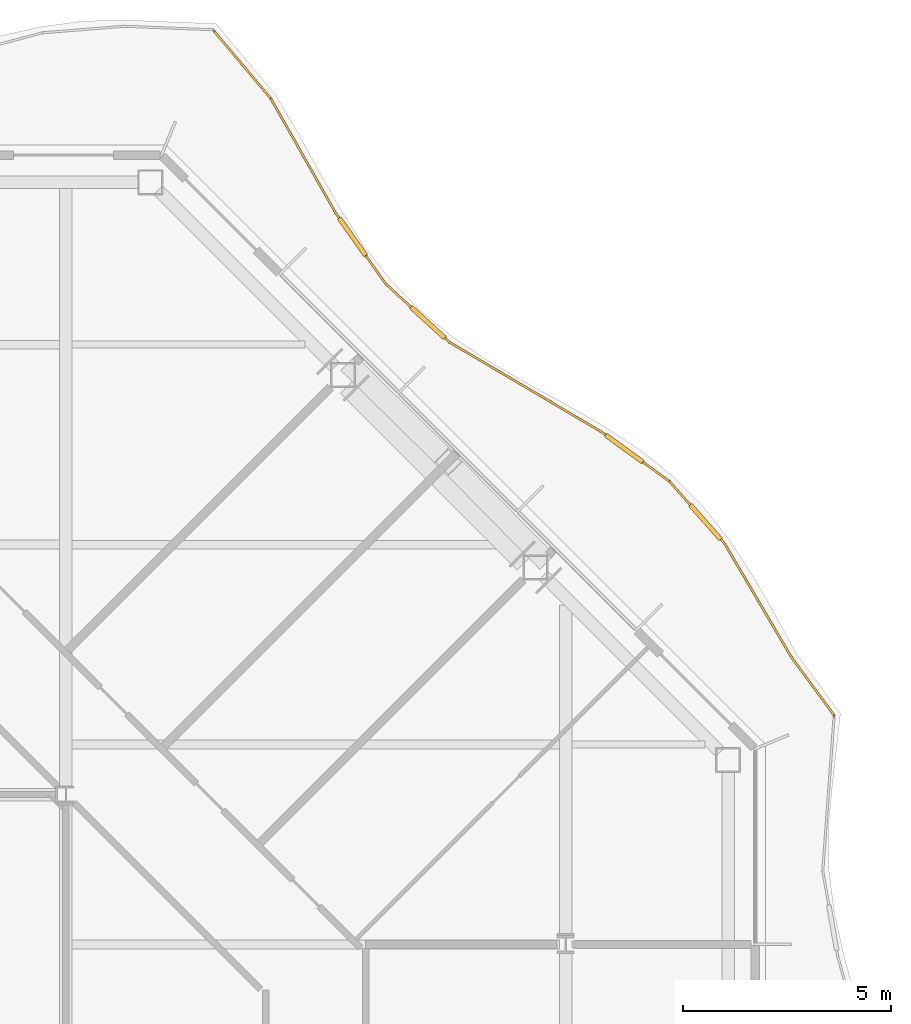
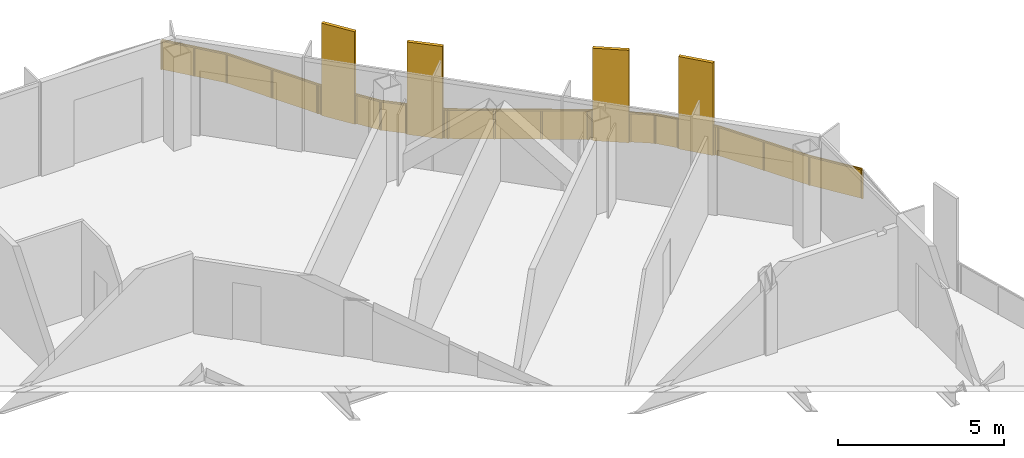
# One storey, part 21 of 21: 1 railing.
"""IFC4 building model written with IfcOpenShell, lengths in metres."""

from ifc_helpers import new_model, si_unit, direction, frame, origin, origin_2d, place, context, subcontext, project, spatial, polyline, rectangle, outline, extrude, material, type_object, element, save


model = new_model("IFC4")

# Units and contexts
model_context = context("Model", 3, precision=1e-05, world=origin(), true_north=direction((0.0, 1.0)))
body_context = subcontext(model_context, "Body", "Model", "MODEL_VIEW")
ifc_project = project(units=[si_unit("LENGTHUNIT", "METRE"), si_unit("AREAUNIT", "SQUARE_METRE"), si_unit("VOLUMEUNIT", "CUBIC_METRE"), si_unit("PLANEANGLEUNIT", "RADIAN"), si_unit("MASSUNIT", "GRAM", prefix="KILO")], contexts=[model_context])

# Site, building, storey
site_placement = place(None, origin())
site = spatial("IfcSite", under=ifc_project, at=site_placement, CompositionType="ELEMENT")
building_placement = place(site_placement, origin())
building = spatial("IfcBuilding", under=site, at=building_placement, Name="Cairn Pilgrim Tower", CompositionType="ELEMENT")
storey_placement = place(building_placement, frame((0.0, 0.0, 150.60009765625)))
storey = spatial("IfcBuildingStorey", under=building, at=storey_placement, Name="L37", CompositionType="ELEMENT", Elevation=150.60009765625)

# Railing
ifc_material = material(Name="Bronze anodised aluminium rail, posts and fin screens with laminated glass infill", Category="aluminium")
railing_type = type_object("IfcRailingType", Name="BALCONY GUARD WITH FIN SCREENS", PredefinedType="GUARDRAIL", material=ifc_material)
railing_placement = place(storey_placement, frame((37.647216796875, 15.1015625, 0.0)))
element("IfcRailing", 1, at=railing_placement, inside=storey, type_object=railing_type, Name="Balcony guard BGF-4 with fin screens", PredefinedType="GUARDRAIL", context=body_context, shape_type="SweptSolid", body=[
    extrude(rectangle(XDim=0.050048828125, YDim=0.050048828125, at=origin_2d()), frame((0.0, 0.0, 1.0751953125), z_axis=(-0.592326047596, 0.805698363744, 0.0), x_axis=(-0.805698363744, -0.592326047596, 0.0)), (0.0, 0.0, 1.0), 1.73681640625),
    extrude(rectangle(XDim=0.050048828125, YDim=0.050048828125, at=origin_2d()), frame((-1.02880859375, 1.3994140625, 1.0751953125), z_axis=(-0.506688076753, 0.862129452505, 0.0), x_axis=(-0.862129452505, -0.506688076753, 0.0)), (0.0, 0.0, 1.0), 3.149169921875),
    extrude(rectangle(XDim=1.10009765625, YDim=0.110107421875, at=origin_2d()), frame((-3.088623046875, 4.638427734375, 0.0), z_axis=(0.0, 0.0, 1.0), x_axis=(-0.662914624053, 0.748694998793, 0.0)), (0.0, 0.0, 1.0), 3.39990234375),
    extrude(rectangle(XDim=0.050048828125, YDim=0.050048828125, at=origin_2d()), frame((-2.62451171875, 4.114501953125, 1.0751953125), z_axis=(-0.662914624053, 0.748694998793, 0.0), x_axis=(-0.748694998793, -0.662914624053, 0.0)), (0.0, 0.0, 1.0), 0.14990234375),
    extrude(rectangle(XDim=0.050048828125, YDim=0.050048828125, at=origin_2d()), frame((-3.453125, 5.05029296875, 1.0751953125), z_axis=(-0.662914624053, 0.748694998793, 0.0), x_axis=(-0.748694998793, -0.662914624053, 0.0)), (0.0, 0.0, 1.0), 0.759521484375),
    extrude(rectangle(XDim=1.10009765625, YDim=0.110107421875, at=origin_2d()), frame((-5.039306640625, 6.4052734375, 0.0), z_axis=(0.0, 0.0, 1.0), x_axis=(-0.80911921109, 0.587644537322, 0.0)), (0.0, 0.0, 1.0), 3.39990234375),
    extrude(rectangle(XDim=0.050048828125, YDim=0.050048828125, at=origin_2d()), frame((-3.95654296875, 5.618896484375, 1.0751953125), z_axis=(-0.80911921109, 0.587644537322, 0.0), x_axis=(-0.587644537322, -0.80911921109, 0.0)), (0.0, 0.0, 1.0), 0.7880859375),
    extrude(rectangle(XDim=0.050048828125, YDim=0.050048828125, at=origin_2d()), frame((-5.484375, 6.728515625, 1.0751953125), z_axis=(-0.80911921109, 0.587644537322, 0.0), x_axis=(-0.587644537322, -0.80911921109, 0.0)), (0.0, 0.0, 1.0), 0.150146484375),
    extrude(rectangle(XDim=0.050048828125, YDim=0.050048828125, at=origin_2d()), frame((-5.605712890625, 6.816650390625, 1.0751953125), z_axis=(-0.861367852969, 0.507981714111, 0.0), x_axis=(-0.507981714111, -0.861367852969, 0.0)), (0.0, 0.0, 1.0), 4.21484375),
    extrude(rectangle(XDim=1.10009765625, YDim=0.110107421875, at=origin_2d()), frame((-9.7529296875, 9.43017578125, 0.0), z_axis=(0.0, 0.0, 1.0), x_axis=(-0.737946592487, 0.67485911614, 0.0)), (0.0, 0.0, 1.0), 3.39990234375),
    extrude(rectangle(XDim=0.050048828125, YDim=0.050048828125, at=origin_2d()), frame((-9.236328125, 8.957763671875, 1.0751953125), z_axis=(-0.737946592487, 0.67485911614, 0.0), x_axis=(-0.67485911614, -0.737946592487, 0.0)), (0.0, 0.0, 1.0), 0.14990234375),
    extrude(rectangle(XDim=0.050048828125, YDim=0.050048828125, at=origin_2d()), frame((-10.15869140625, 9.80126953125, 1.0751953125), z_axis=(-0.737946592487, 0.67485911614, 0.0), x_axis=(-0.67485911614, -0.737946592487, 0.0)), (0.0, 0.0, 1.0), 0.820556640625),
    extrude(rectangle(XDim=1.10009765625, YDim=0.110107421875, at=origin_2d()), frame((-11.56591796875, 11.490234375, 0.0), z_axis=(0.0, 0.0, 1.0), x_axis=(-0.576953758007, 0.816776812307, 0.0)), (0.0, 0.0, 1.0), 3.39990234375),
    extrude(rectangle(XDim=0.050048828125, YDim=0.050048828125, at=origin_2d()), frame((-10.76416015625, 10.35498046875, 1.0751953125), z_axis=(-0.576953758007, 0.816776812307, 0.0), x_axis=(-0.816776812307, -0.576953758007, 0.0)), (0.0, 0.0, 1.0), 0.83984375),
    extrude(rectangle(XDim=0.050048828125, YDim=0.050048828125, at=origin_2d()), frame((-11.88330078125, 11.939453125, 1.0751953125), z_axis=(-0.576953758007, 0.816776812307, 0.0), x_axis=(-0.816776812307, -0.576953758007, 0.0)), (0.0, 0.0, 1.0), 0.150146484375),
    extrude(rectangle(XDim=0.050048828125, YDim=0.050048828125, at=origin_2d()), frame((-11.969970703125, 12.06201171875, 1.0751953125), z_axis=(-0.493168372779, 0.869933880298, 0.0), x_axis=(-0.869933880298, -0.493168372779, 0.0)), (0.0, 0.0, 1.0), 3.162841796875),
    extrude(rectangle(XDim=0.050048828125, YDim=0.050048828125, at=origin_2d()), frame((-13.52978515625, 14.8134765625, 1.0751953125), z_axis=(-0.643725819825, 0.765256211272, 0.0), x_axis=(-0.765256211272, -0.643725819825, 0.0)), (0.0, 0.0, 1.0), 2.09130859375),
    extrude(rectangle(XDim=0.050048828125, YDim=0.050048828125, at=origin_2d()), origin(), (0.0, 0.0, 1.0), 1.050048828125),
    extrude(rectangle(XDim=0.050048828125, YDim=0.050048828125, at=origin_2d()), frame((-1.02880859375, 1.3994140625, 0.0)), (0.0, 0.0, 1.0), 1.050048828125),
    extrude(rectangle(XDim=0.050048828125, YDim=0.050048828125, at=origin_2d()), frame((-1.82666015625, 2.7568359375, 0.0)), (0.0, 0.0, 1.0), 1.050048828125),
    extrude(rectangle(XDim=0.050048828125, YDim=0.050048828125, at=origin_2d()), frame((-2.62451171875, 4.114501953125, 0.0)), (0.0, 0.0, 1.0), 1.050048828125),
    extrude(rectangle(XDim=0.050048828125, YDim=0.050048828125, at=origin_2d()), frame((-2.707275390625, 4.2080078125, 0.0)), (0.0, 0.0, 1.0), 1.050048828125),
    extrude(rectangle(XDim=0.050048828125, YDim=0.050048828125, at=origin_2d()), frame((-3.4697265625, 5.069091796875, 0.0)), (0.0, 0.0, 1.0), 1.050048828125),
    extrude(rectangle(XDim=0.050048828125, YDim=0.050048828125, at=origin_2d()), frame((-3.95654296875, 5.618896484375, 0.0)), (0.0, 0.0, 1.0), 1.050048828125),
    extrude(rectangle(XDim=0.050048828125, YDim=0.050048828125, at=origin_2d()), frame((-4.573974609375, 6.0673828125, 0.0)), (0.0, 0.0, 1.0), 1.050048828125),
    extrude(rectangle(XDim=0.050048828125, YDim=0.050048828125, at=origin_2d()), frame((-5.504638671875, 6.7431640625, 0.0)), (0.0, 0.0, 1.0), 1.050048828125),
    extrude(rectangle(XDim=0.050048828125, YDim=0.050048828125, at=origin_2d()), frame((-5.605712890625, 6.816650390625, 0.0)), (0.0, 0.0, 1.0), 1.050048828125),
    extrude(rectangle(XDim=0.050048828125, YDim=0.050048828125, at=origin_2d()), frame((-6.81591796875, 7.5302734375, 0.0)), (0.0, 0.0, 1.0), 1.050048828125),
    extrude(rectangle(XDim=0.050048828125, YDim=0.050048828125, at=origin_2d()), frame((-8.026123046875, 8.244140625, 0.0)), (0.0, 0.0, 1.0), 1.050048828125),
    extrude(rectangle(XDim=0.050048828125, YDim=0.050048828125, at=origin_2d()), frame((-9.236328125, 8.957763671875, 0.0)), (0.0, 0.0, 1.0), 1.050048828125),
    extrude(rectangle(XDim=0.050048828125, YDim=0.050048828125, at=origin_2d()), frame((-9.328369140625, 9.0419921875, 0.0)), (0.0, 0.0, 1.0), 1.050048828125),
    extrude(rectangle(XDim=0.050048828125, YDim=0.050048828125, at=origin_2d()), frame((-10.17724609375, 9.818115234375, 0.0)), (0.0, 0.0, 1.0), 1.050048828125),
    extrude(rectangle(XDim=0.050048828125, YDim=0.050048828125, at=origin_2d()), frame((-10.76416015625, 10.35498046875, 0.0)), (0.0, 0.0, 1.0), 1.050048828125),
    extrude(rectangle(XDim=0.050048828125, YDim=0.050048828125, at=origin_2d()), frame((-11.234375, 11.0205078125, 0.0)), (0.0, 0.0, 1.0), 1.050048828125),
    extrude(rectangle(XDim=0.050048828125, YDim=0.050048828125, at=origin_2d()), frame((-11.897705078125, 11.959716796875, 0.0)), (0.0, 0.0, 1.0), 1.050048828125),
    extrude(rectangle(XDim=0.050048828125, YDim=0.050048828125, at=origin_2d()), frame((-11.969970703125, 12.06201171875, 0.0)), (0.0, 0.0, 1.0), 1.050048828125),
    extrude(rectangle(XDim=0.050048828125, YDim=0.050048828125, at=origin_2d()), frame((-12.75, 13.437744140625, 0.0)), (0.0, 0.0, 1.0), 1.050048828125),
    extrude(rectangle(XDim=0.050048828125, YDim=0.050048828125, at=origin_2d()), frame((-13.52978515625, 14.8134765625, 0.0)), (0.0, 0.0, 1.0), 1.050048828125),
    extrude(rectangle(XDim=0.050048828125, YDim=0.050048828125, at=origin_2d()), frame((-14.202880859375, 15.61376953125, 0.0)), (0.0, 0.0, 1.0), 1.050048828125),
    extrude(rectangle(XDim=0.050048828125, YDim=0.050048828125, at=origin_2d()), frame((-14.8759765625, 16.413818359375, 0.0)), (0.0, 0.0, 1.0), 1.050048828125),
    extrude(outline(polyline([(0.02490234375, 0.0), (1.7119140625, 0.0), (1.7119140625, 1.050048828125), (0.02490234375, 1.050048828125), (0.02490234375, 0.0)])), frame((-0.0048828125, -0.003662109375, 0.0), z_axis=(0.805698363744, 0.592326047596, 0.0), x_axis=(-0.592326047596, 0.805698363744, 0.0)), (0.0, 0.0, 1.0), 0.011962890625),
    extrude(outline(polyline([(0.02490234375, 0.0), (1.549560546875, 0.0), (1.549560546875, 1.050048828125), (0.02490234375, 1.050048828125), (0.02490234375, 0.0)])), frame((-1.033935546875, 1.396484375, 0.0), z_axis=(0.862129452505, 0.506688076753, 0.0), x_axis=(-0.506688076753, 0.862129452505, 0.0)), (0.0, 0.0, 1.0), 0.011962890625),
    extrude(outline(polyline([(0.02490234375, 0.0), (1.549560546875, 0.0), (1.549560546875, 1.050048828125), (0.02490234375, 1.050048828125), (0.02490234375, 0.0)])), frame((-1.831787109375, 2.75390625, 0.0), z_axis=(0.862129452505, 0.506688076753, 0.0), x_axis=(-0.506688076753, 0.862129452505, 0.0)), (0.0, 0.0, 1.0), 0.011962890625),
    extrude(outline(polyline([(0.02490234375, 0.0), (0.099853515625, 0.0), (0.099853515625, 1.050048828125), (0.02490234375, 1.050048828125), (0.02490234375, 0.0)])), frame((-2.62890625, 4.110595703125, 0.0), z_axis=(0.748694998793, 0.662914624053, 0.0), x_axis=(-0.662914624053, 0.748694998793, 0.0)), (0.0, 0.0, 1.0), 0.011962890625),
    extrude(outline(polyline([(0.02490234375, 0.0), (0.70947265625, 0.0), (0.70947265625, 1.050048828125), (0.02490234375, 1.050048828125), (0.02490234375, 0.0)])), frame((-3.47412109375, 5.065185546875, 0.0), z_axis=(0.748694998793, 0.662914624053, 0.0), x_axis=(-0.662914624053, 0.748694998793, 0.0)), (0.0, 0.0, 1.0), 0.011962890625),
    extrude(outline(polyline([(0.02490234375, 0.0), (0.738037109375, 0.0), (0.738037109375, 1.050048828125), (0.02490234375, 1.050048828125), (0.02490234375, 0.0)])), frame((-3.9599609375, 5.614013671875, 0.0), z_axis=(0.587644537322, 0.80911921109, 0.0), x_axis=(-0.80911921109, 0.587644537322, 0.0)), (0.0, 0.0, 1.0), 0.011962890625),
    extrude(outline(polyline([(0.02490234375, 0.0), (0.10009765625, 0.0), (0.10009765625, 1.050048828125), (0.02490234375, 1.050048828125), (0.02490234375, 0.0)])), frame((-5.508056640625, 6.73828125, 0.0), z_axis=(0.587644537322, 0.80911921109, 0.0), x_axis=(-0.80911921109, 0.587644537322, 0.0)), (0.0, 0.0, 1.0), 0.011962890625),
    extrude(outline(polyline([(0.02490234375, 0.0), (1.3798828125, 0.0), (1.3798828125, 1.050048828125), (0.02490234375, 1.050048828125), (0.02490234375, 0.0)])), frame((-5.608642578125, 6.8115234375, 0.0), z_axis=(0.507981714111, 0.861367852969, 0.0), x_axis=(-0.861367852969, 0.507981714111, 0.0)), (0.0, 0.0, 1.0), 0.011962890625),
    extrude(outline(polyline([(0.02490234375, 0.0), (1.3798828125, 0.0), (1.3798828125, 1.050048828125), (0.02490234375, 1.050048828125), (0.02490234375, 0.0)])), frame((-6.81884765625, 7.525146484375, 0.0), z_axis=(0.507981714111, 0.861367852969, 0.0), x_axis=(-0.861367852969, 0.507981714111, 0.0)), (0.0, 0.0, 1.0), 0.011962890625),
    extrude(outline(polyline([(0.02490234375, 0.0), (1.3798828125, 0.0), (1.3798828125, 1.050048828125), (0.02490234375, 1.050048828125), (0.02490234375, 0.0)])), frame((-8.029052734375, 8.239013671875, 0.0), z_axis=(0.507981714111, 0.861367852969, 0.0), x_axis=(-0.861367852969, 0.507981714111, 0.0)), (0.0, 0.0, 1.0), 0.011962890625),
    extrude(outline(polyline([(0.02490234375, 0.0), (0.099853515625, 0.0), (0.099853515625, 1.050048828125), (0.02490234375, 1.050048828125), (0.02490234375, 0.0)])), frame((-9.240478515625, 8.953369140625, 0.0), z_axis=(0.67485911614, 0.737946592487, 0.0), x_axis=(-0.737946592487, 0.67485911614, 0.0)), (0.0, 0.0, 1.0), 0.011962890625),
    extrude(outline(polyline([(0.02490234375, 0.0), (0.7705078125, 0.0), (0.7705078125, 1.050048828125), (0.02490234375, 1.050048828125), (0.02490234375, 0.0)])), frame((-10.18115234375, 9.813720703125, 0.0), z_axis=(0.67485911614, 0.737946592487, 0.0), x_axis=(-0.737946592487, 0.67485911614, 0.0)), (0.0, 0.0, 1.0), 0.011962890625),
    extrude(outline(polyline([(0.02490234375, 0.0), (0.789794921875, 0.0), (0.789794921875, 1.050048828125), (0.02490234375, 1.050048828125), (0.02490234375, 0.0)])), frame((-10.76904296875, 10.3515625, 0.0), z_axis=(0.816776812307, 0.576953758007, 0.0), x_axis=(-0.576953758007, 0.816776812307, 0.0)), (0.0, 0.0, 1.0), 0.011962890625),
    extrude(outline(polyline([(0.02490234375, 0.0), (0.10009765625, 0.0), (0.10009765625, 1.050048828125), (0.02490234375, 1.050048828125), (0.02490234375, 0.0)])), frame((-11.902587890625, 11.956298828125, 0.0), z_axis=(0.816776812307, 0.576953758007, 0.0), x_axis=(-0.576953758007, 0.816776812307, 0.0)), (0.0, 0.0, 1.0), 0.011962890625),
    extrude(outline(polyline([(0.02490234375, 0.0), (1.556396484375, 0.0), (1.556396484375, 1.050048828125), (0.02490234375, 1.050048828125), (0.02490234375, 0.0)])), frame((-11.97509765625, 12.05908203125, 0.0), z_axis=(0.869933880298, 0.493168372779, 0.0), x_axis=(-0.493168372779, 0.869933880298, 0.0)), (0.0, 0.0, 1.0), 0.011962890625),
    extrude(outline(polyline([(0.02490234375, 0.0), (1.556396484375, 0.0), (1.556396484375, 1.050048828125), (0.02490234375, 1.050048828125), (0.02490234375, 0.0)])), frame((-12.755126953125, 13.434814453125, 0.0), z_axis=(0.869933880298, 0.493168372779, 0.0), x_axis=(-0.493168372779, 0.869933880298, 0.0)), (0.0, 0.0, 1.0), 0.011962890625),
    extrude(outline(polyline([(0.02490234375, 0.0), (1.0205078125, 0.0), (1.0205078125, 1.050048828125), (0.02490234375, 1.050048828125), (0.02490234375, 0.0)])), frame((-13.534423828125, 14.8095703125, 0.0), z_axis=(0.765256211272, 0.643725819825, 0.0), x_axis=(-0.643725819825, 0.765256211272, 0.0)), (0.0, 0.0, 1.0), 0.011962890625),
    extrude(outline(polyline([(0.02490234375, 0.0), (1.0205078125, 0.0), (1.0205078125, 1.050048828125), (0.02490234375, 1.050048828125), (0.02490234375, 0.0)])), frame((-14.20751953125, 15.60986328125, 0.0), z_axis=(0.765256211272, 0.643725819825, 0.0), x_axis=(-0.643725819825, 0.765256211272, 0.0)), (0.0, 0.0, 1.0), 0.011962890625),
])

save(model, "model.ifc")
